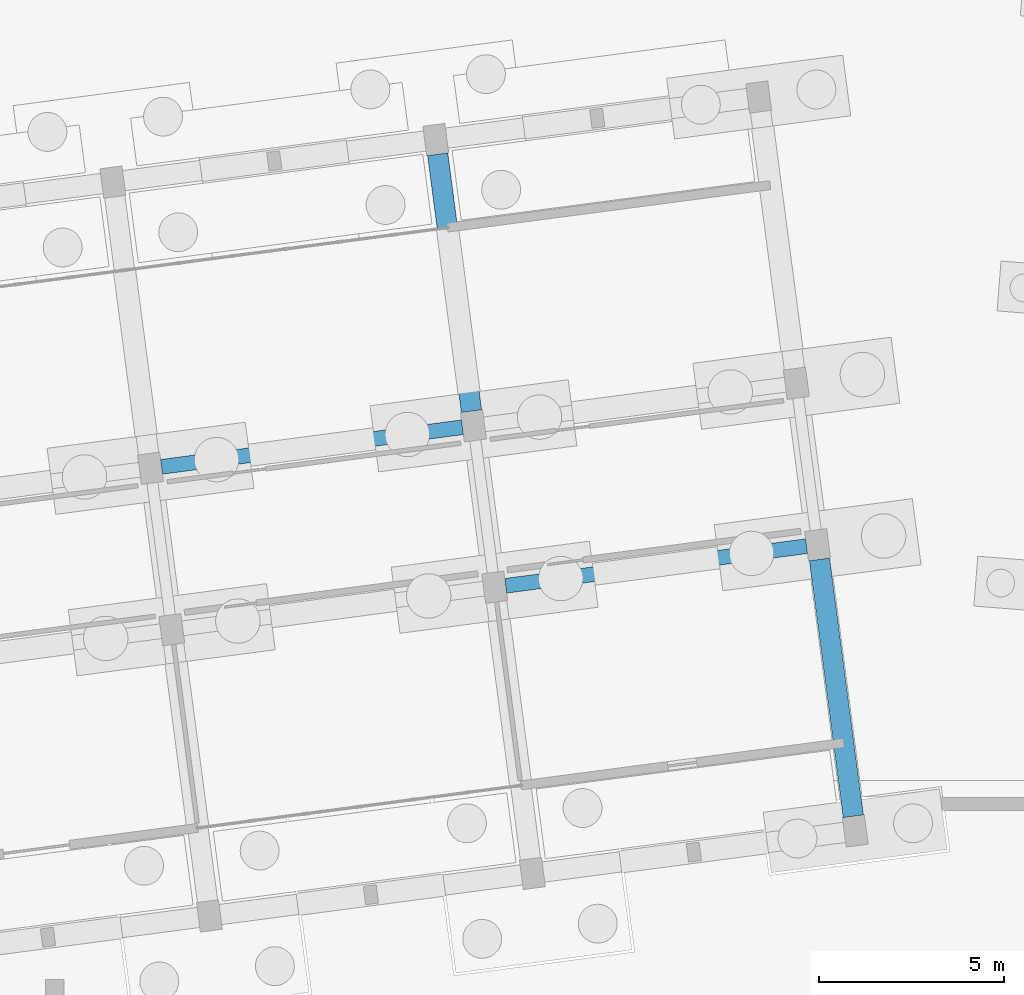
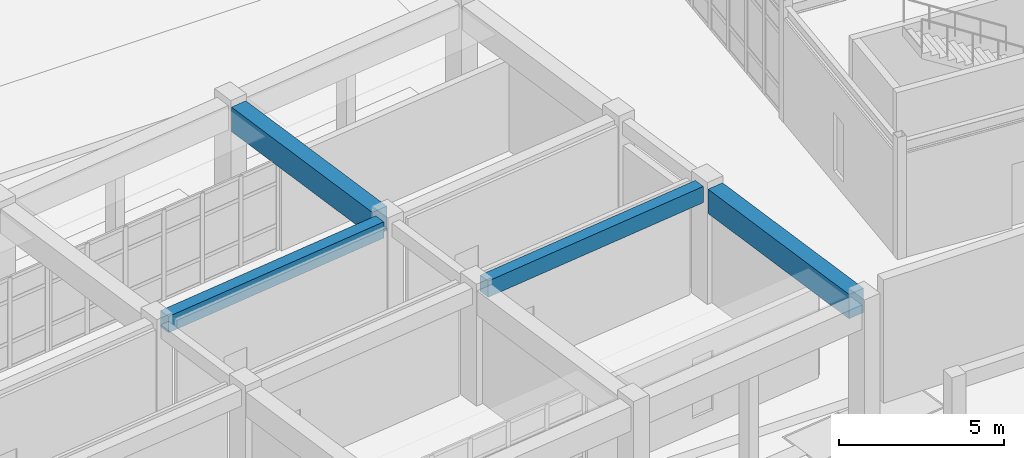
# One storey, part 69 of 154: 4 beams.
"""IFC4 building model written with IfcOpenShell, lengths in metres."""

from ifc_helpers import new_model, si_unit, direction, frame, origin, origin_2d, place, context, subcontext, project, spatial, rectangle, extrude, material, material_profile, profile_set, type_object, element, save


model = new_model("IFC4")

# Units and contexts
model_context = context("Model", 3, precision=1e-05, world=origin(), true_north=direction((0.0, 1.0)))
body_context = subcontext(model_context, "Body", "Model", "MODEL_VIEW")
ifc_project = project(units=[si_unit("LENGTHUNIT", "METRE"), si_unit("AREAUNIT", "SQUARE_METRE"), si_unit("VOLUMEUNIT", "CUBIC_METRE"), si_unit("PLANEANGLEUNIT", "RADIAN"), si_unit("MASSUNIT", "GRAM", prefix="KILO")], contexts=[model_context])

# Site, building, storey
site_placement = place(None, origin())
site = spatial("IfcSite", under=ifc_project, at=site_placement, CompositionType="ELEMENT")
building_placement = place(site_placement, origin())
building = spatial("IfcBuilding", under=site, at=building_placement, Name="Kestramere Prow Commons", CompositionType="ELEMENT")
storey_placement = place(building_placement, origin())
storey = spatial("IfcBuildingStorey", under=building, at=storey_placement, Name="L00", CompositionType="ELEMENT", Elevation=0.0)

# Beams
ifc_material = material(Name="Precast concrete C40/50", Category="concrete")
ifc_material_profile_1 = material_profile(ifc_material, rectangle(XDim=0.39990234375, YDim=0.60009765625, at=origin_2d()), Name="PC-BM 400x600")
ifc_profile_set_1 = profile_set([ifc_material_profile_1], Name="Precast concrete C40/50")
beam_type_1 = type_object("IfcBeamType", Name="BM-A1 PC-BM 400x600", PredefinedType="BEAM", material=ifc_profile_set_1)
for number, where, z_axis, x_axis, name in (
    (1, (54.102783203125, 85.515625, 3.949951171875), (0.991444969909, 0.13052536781, 0.0), (-0.13052536781, 0.991444969909, 0.0), "Block A L00 Longitudinal Beam 2-6"),
    (2, (44.803955078125, 88.729248046875, 3.949951171875), (0.991444969909, 0.13052536781, 0.0), (-0.13052536781, 0.991444969909, 0.0), "Block A L00 Longitudinal Beam 3-5"),
):
    element("IfcBeam", number, at=place(storey_placement, frame(where, z_axis=z_axis, x_axis=x_axis)), inside=storey, type_object=beam_type_1, Name=name, PredefinedType="BEAM", context=body_context, shape_type="SweptSolid", body=[
        extrude(rectangle(XDim=0.39990234375, YDim=0.60009765625, at=origin_2d()), origin(), (0.0, 0.0, 1.0), 8.199951171875),
    ])
ifc_material_profile_2 = material_profile(ifc_material, rectangle(XDim=0.550048828125, YDim=0.89990234375, at=origin_2d()), Name="PC-TG 550x900")
ifc_profile_set_2 = profile_set([ifc_material_profile_2], Name="Precast concrete C40/50")
beam_type_2 = type_object("IfcBeamType", Name="TG-01 PC-TG 550x900 (EX)", PredefinedType="BEAM", material=ifc_profile_set_2)
for number, where, z_axis, x_axis, name in (
    (3, (53.178955078125, 90.2353515625, 3.800048828125), (-0.13050954625, 0.991447052715, 0.0), (-0.991447052715, -0.13050954625, 0.0), "Block A L00 N Colonnade Transfer Girder 6"),
    (4, (63.49609375, 79.288330078125, 3.800048828125), (-0.130543828916, 0.991442539299, 0.0), (-0.991442539299, -0.130543828916, 0.0), "Block A L00 S Colonnade Transfer Girder 7"),
):
    element("IfcBeam", number, at=place(storey_placement, frame(where, z_axis=z_axis, x_axis=x_axis)), inside=storey, type_object=beam_type_2, Name=name, PredefinedType="BEAM", context=body_context, shape_type="SweptSolid", body=[
        extrude(rectangle(XDim=0.550048828125, YDim=0.89990234375, at=origin_2d()), origin(), (0.0, 0.0, 1.0), 7.0),
    ])

save(model, "model.ifc")
